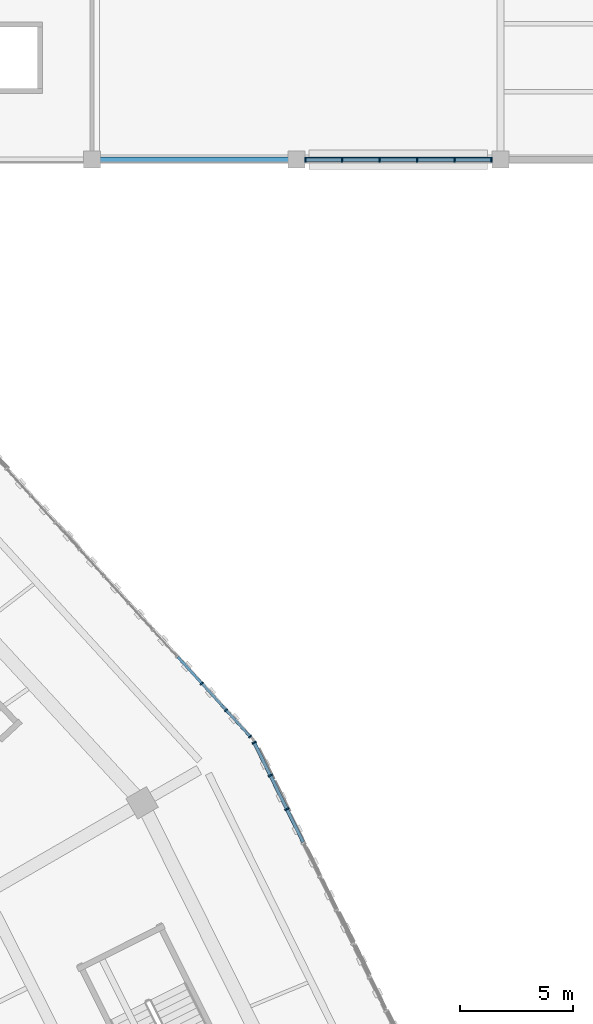
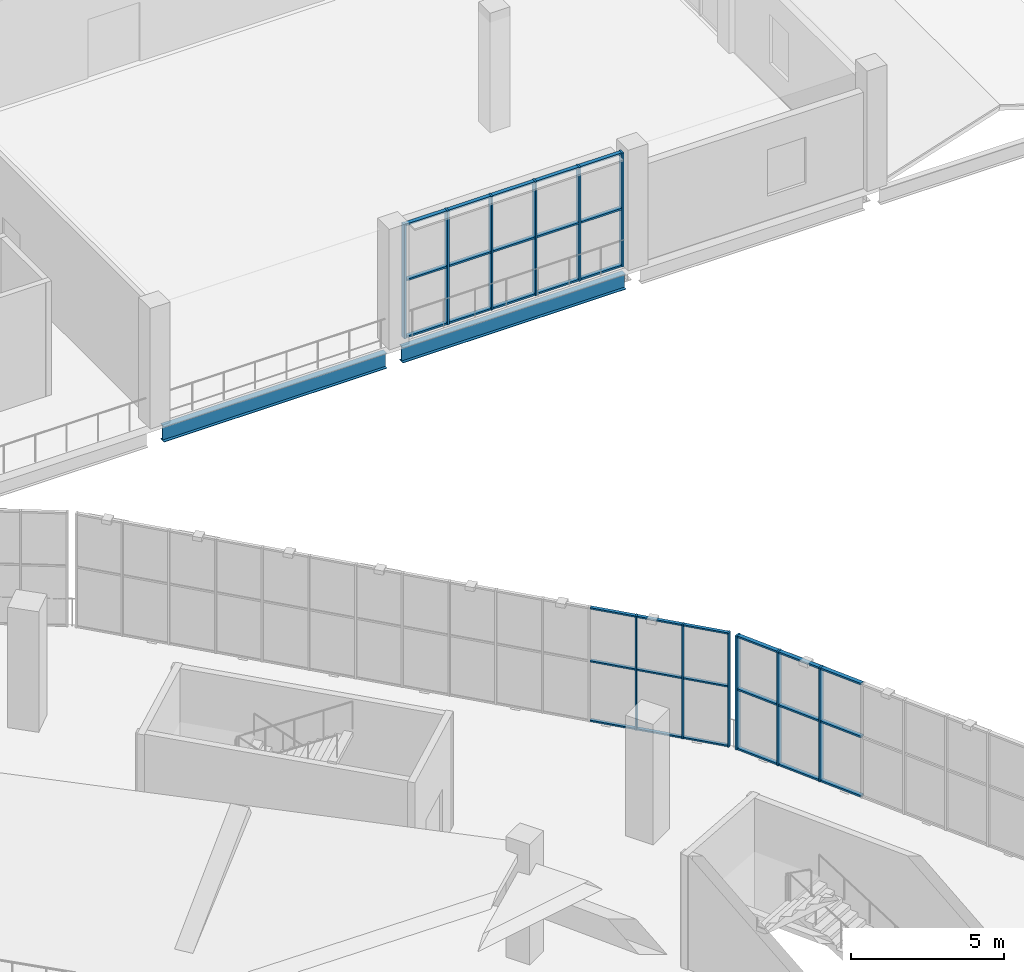
# One storey, part 66 of 152: 45 members, 2 beams, 3 elements without a shape of their own.
"""IFC4 building model written with IfcOpenShell, lengths in metres."""

from ifc_helpers import new_model, si_unit, direction, frame, origin, origin_2d, place, context, subcontext, project, spatial, rectangle, i_section, extrude, material, material_profile, profile_set, type_object, element, aggregate, save


model = new_model("IFC4")

# Units and contexts
model_context = context("Model", 3, precision=1e-05, world=origin(), true_north=direction((0.0, 1.0)))
body_context = subcontext(model_context, "Body", "Model", "MODEL_VIEW")
ifc_project = project(units=[si_unit("LENGTHUNIT", "METRE"), si_unit("AREAUNIT", "SQUARE_METRE"), si_unit("VOLUMEUNIT", "CUBIC_METRE"), si_unit("PLANEANGLEUNIT", "RADIAN"), si_unit("MASSUNIT", "GRAM", prefix="KILO")], contexts=[model_context])

# Site, building, storey
site_placement = place(None, origin())
site = spatial("IfcSite", under=ifc_project, at=site_placement, CompositionType="ELEMENT")
building_placement = place(site_placement, origin())
building = spatial("IfcBuilding", under=site, at=building_placement, Name="Zevraka Park Crest Stadium", CompositionType="ELEMENT")
storey_placement = place(building_placement, frame((0.0, 0.0, 15.0)))
storey = spatial("IfcBuildingStorey", under=building, at=storey_placement, Name="L03", CompositionType="ELEMENT", Elevation=15.0)

# Beams
ifc_material_1 = material(Name="Steel S355", Category="steel")
ifc_material_profile_1 = material_profile(ifc_material_1, i_section(OverallWidth=0.22900390625, OverallDepth=0.612060546875, WebThickness=0.011962890625, FlangeThickness=0.01953125, at=origin_2d()), Name="UKB 610x229x125")
ifc_profile_set_1 = profile_set([ifc_material_profile_1], Name="Steel S355")
beam_type = type_object("IfcBeamType", Name="BG09", PredefinedType="BEAM", material=ifc_profile_set_1)
for number, where, z_axis, x_axis, name in (
    (1, (188.300048828125, 158.0, -0.614013671875), (1.0, 0.0, 0.0), (0.0, 1.0, 0.0), "Wing Girder BG09 L03-2122/T"),
    (2, (197.300048828125, 158.0, -0.614013671875), (1.0, 0.0, 0.0), (0.0, 1.0, 0.0), "Wing Girder BG09 L03-2223/T"),
):
    element("IfcBeam", number, at=place(storey_placement, frame(where, z_axis=z_axis, x_axis=x_axis)), inside=storey, type_object=beam_type, Name=name, PredefinedType="BEAM", context=body_context, shape_type="SweptSolid", body=[
        extrude(i_section(OverallWidth=0.22900390625, OverallDepth=0.612060546875, WebThickness=0.011962890625, FlangeThickness=0.01953125, at=origin_2d()), origin(), (0.0, 0.0, 1.0), 8.39990234375),
    ])

# Curtain wall, members
ifc_material_2 = material(Name="Anodised architectural aluminium and laminated safety glass", Category="aluminium")
curtain_wall_type_1 = type_object("IfcCurtainWallType", Name="CW13", PredefinedType="NOTDEFINED", material=ifc_material_2)
curtain_wall_1_placement = place(storey_placement, origin())
curtain_wall_1 = element("IfcCurtainWall", 3, at=curtain_wall_1_placement, inside=storey, type_object=curtain_wall_type_1, Name="Unitised Ring Curtain Wall CW13 L03-02", PredefinedType="NOTDEFINED")
ifc_material_3 = material(Name="Anodised architectural aluminium", Category="aluminium")
ifc_material_profile_2 = material_profile(ifc_material_3, rectangle(XDim=0.159912109375, YDim=0.06005859375, at=origin_2d()), Name="ALU MULLION 160x60")
ifc_profile_set_2 = profile_set([ifc_material_profile_2], Name="Anodised architectural aluminium")
member_type_1 = type_object("IfcMemberType", Name="CM01", PredefinedType="MULLION", material=ifc_profile_set_2)
member_1_placement = place(storey_placement, frame((194.96484375, 132.572265625, 0.0), z_axis=(0.0, 0.0, 1.0), x_axis=(-0.739822878481, -0.672801685845, 0.0)))
member_1 = element("IfcMember", 4, at=member_1_placement, type_object=member_type_1, Name="CW13 mullion 1", PredefinedType="MULLION", context=body_context, shape_type="SweptSolid", body=[
    extrude(rectangle(XDim=0.159912109375, YDim=0.06005859375, at=origin_2d()), origin(), (0.0, 0.0, 1.0), 4.5400390625),
])
member_2_placement = place(storey_placement, frame((193.90869140625, 133.7333984375, 0.0), z_axis=(0.0, 0.0, 1.0), x_axis=(-0.739822878481, -0.672801685845, 0.0)))
member_2 = element("IfcMember", 5, at=member_2_placement, type_object=member_type_1, Name="CW13 mullion 2", PredefinedType="MULLION", context=body_context, shape_type="SweptSolid", body=[
    extrude(rectangle(XDim=0.159912109375, YDim=0.06005859375, at=origin_2d()), origin(), (0.0, 0.0, 1.0), 4.5400390625),
])
member_3_placement = place(storey_placement, frame((192.83251953125, 134.9169921875, 0.0), z_axis=(0.0, 0.0, 1.0), x_axis=(-0.739822878481, -0.672801685845, 0.0)))
member_3 = element("IfcMember", 6, at=member_3_placement, type_object=member_type_1, Name="CW13 mullion 3", PredefinedType="MULLION", context=body_context, shape_type="SweptSolid", body=[
    extrude(rectangle(XDim=0.159912109375, YDim=0.06005859375, at=origin_2d()), origin(), (0.0, 0.0, 1.0), 4.5400390625),
])

ifc_material_4 = material(Name="Anodised architectural aluminium and laminated safety glass", Category="aluminium")
curtain_wall_type_2 = type_object("IfcCurtainWallType", Name="CW12", PredefinedType="NOTDEFINED", material=ifc_material_4)
curtain_wall_2_placement = place(storey_placement, origin())
curtain_wall_2 = element("IfcCurtainWall", 7, at=curtain_wall_2_placement, inside=storey, type_object=curtain_wall_type_2, Name="Unitised Ring Curtain Wall CW12 L03-01", PredefinedType="NOTDEFINED")
ifc_material_5 = material(Name="Anodised architectural aluminium", Category="aluminium")
ifc_material_profile_3 = material_profile(ifc_material_5, rectangle(XDim=0.199951171875, YDim=0.070068359375, at=origin_2d()), Name="ALU MULLION 200x70")
ifc_profile_set_3 = profile_set([ifc_material_profile_3], Name="Anodised architectural aluminium")
member_type_2 = type_object("IfcMemberType", Name="CM03", PredefinedType="MULLION", material=ifc_profile_set_3)
member_4_placement = place(storey_placement, frame((196.58447265625, 129.3720703125, 0.0), z_axis=(0.0, 0.0, 1.0), x_axis=(-0.897670958396, -0.440666370912, 0.0)))
member_4 = element("IfcMember", 8, at=member_4_placement, type_object=member_type_2, Name="CW12 mullion 12", PredefinedType="MULLION", context=body_context, shape_type="SweptSolid", body=[
    extrude(rectangle(XDim=0.199951171875, YDim=0.070068359375, at=origin_2d()), origin(), (0.0, 0.0, 1.0), 4.5400390625),
])
member_5_placement = place(storey_placement, frame((195.856201171875, 130.85546875, 0.0), z_axis=(0.0, 0.0, 1.0), x_axis=(-0.897670958396, -0.440666370912, 0.0)))
member_5 = element("IfcMember", 9, at=member_5_placement, type_object=member_type_2, Name="CW12 mullion 13", PredefinedType="MULLION", context=body_context, shape_type="SweptSolid", body=[
    extrude(rectangle(XDim=0.199951171875, YDim=0.070068359375, at=origin_2d()), origin(), (0.0, 0.0, 1.0), 4.5400390625),
])
member_6_placement = place(storey_placement, frame((195.143310546875, 132.3076171875, 0.0), z_axis=(0.0, 0.0, 1.0), x_axis=(-0.897670958396, -0.440666370912, 0.0)))
member_6 = element("IfcMember", 10, at=member_6_placement, type_object=member_type_2, Name="CW12 mullion 14", PredefinedType="MULLION", context=body_context, shape_type="SweptSolid", body=[
    extrude(rectangle(XDim=0.199951171875, YDim=0.070068359375, at=origin_2d()), origin(), (0.0, 0.0, 1.0), 4.5400390625),
])

ifc_material_6 = material(Name="Anodised architectural aluminium and laminated safety glass", Category="aluminium")
curtain_wall_type_3 = type_object("IfcCurtainWallType", Name="CW30", PredefinedType="NOTDEFINED", material=ifc_material_6)
curtain_wall_3_placement = place(storey_placement, origin())
curtain_wall_3 = element("IfcCurtainWall", 11, at=curtain_wall_3_placement, inside=storey, type_object=curtain_wall_type_3, Name="Wing Curtain Wall CW30 L03-NGATE-S3-2", PredefinedType="NOTDEFINED")
member_7_placement = place(storey_placement, frame((205.60009765625, 158.0, 0.0), z_axis=(0.0, 0.0, 1.0), x_axis=(0.0, -1.0, 0.0)))
member_7 = element("IfcMember", 12, at=member_7_placement, type_object=member_type_2, Name="CW30 mullion 1", PredefinedType="MULLION", context=body_context, shape_type="SweptSolid", body=[
    extrude(rectangle(XDim=0.199951171875, YDim=0.070068359375, at=origin_2d()), origin(), (0.0, 0.0, 1.0), 4.5400390625),
])
member_8_placement = place(storey_placement, frame((203.98095703125, 158.0, 0.0), z_axis=(0.0, 0.0, 1.0), x_axis=(0.0, -1.0, 0.0)))
member_8 = element("IfcMember", 13, at=member_8_placement, type_object=member_type_2, Name="CW30 mullion 2", PredefinedType="MULLION", context=body_context, shape_type="SweptSolid", body=[
    extrude(rectangle(XDim=0.199951171875, YDim=0.070068359375, at=origin_2d()), origin(), (0.0, 0.0, 1.0), 4.5400390625),
])
member_9_placement = place(storey_placement, frame((202.326904296875, 158.0, 0.0), z_axis=(0.0, 0.0, 1.0), x_axis=(0.0, -1.0, 0.0)))
member_9 = element("IfcMember", 14, at=member_9_placement, type_object=member_type_2, Name="CW30 mullion 3", PredefinedType="MULLION", context=body_context, shape_type="SweptSolid", body=[
    extrude(rectangle(XDim=0.199951171875, YDim=0.070068359375, at=origin_2d()), origin(), (0.0, 0.0, 1.0), 4.5400390625),
])
member_10_placement = place(storey_placement, frame((200.673095703125, 158.0, 0.0), z_axis=(0.0, 0.0, 1.0), x_axis=(0.0, -1.0, 0.0)))
member_10 = element("IfcMember", 15, at=member_10_placement, type_object=member_type_2, Name="CW30 mullion 4", PredefinedType="MULLION", context=body_context, shape_type="SweptSolid", body=[
    extrude(rectangle(XDim=0.199951171875, YDim=0.070068359375, at=origin_2d()), origin(), (0.0, 0.0, 1.0), 4.5400390625),
])
member_11_placement = place(storey_placement, frame((199.01904296875, 158.0, 0.0), z_axis=(0.0, 0.0, 1.0), x_axis=(0.0, -1.0, 0.0)))
member_11 = element("IfcMember", 16, at=member_11_placement, type_object=member_type_2, Name="CW30 mullion 5", PredefinedType="MULLION", context=body_context, shape_type="SweptSolid", body=[
    extrude(rectangle(XDim=0.199951171875, YDim=0.070068359375, at=origin_2d()), origin(), (0.0, 0.0, 1.0), 4.5400390625),
])
member_12_placement = place(storey_placement, frame((197.39990234375, 158.0, 0.0), z_axis=(0.0, 0.0, 1.0), x_axis=(0.0, -1.0, 0.0)))
member_12 = element("IfcMember", 17, at=member_12_placement, type_object=member_type_2, Name="CW30 mullion 6", PredefinedType="MULLION", context=body_context, shape_type="SweptSolid", body=[
    extrude(rectangle(XDim=0.199951171875, YDim=0.070068359375, at=origin_2d()), origin(), (0.0, 0.0, 1.0), 4.5400390625),
])

# Member
ifc_material_7 = material(Name="Anodised architectural aluminium", Category="aluminium")
ifc_material_profile_4 = material_profile(ifc_material_7, rectangle(XDim=0.1201171875, YDim=0.06005859375, at=origin_2d()), Name="ALU TRANSOM 120x60")
ifc_profile_set_4 = profile_set([ifc_material_profile_4], Name="Anodised architectural aluminium")
member_type_3 = type_object("IfcMemberType", Name="CT01", PredefinedType="USERDEFINED", material=ifc_profile_set_4)
member_13_placement = place(storey_placement, frame((194.944580078125, 132.594482421875, 0.030029296875), z_axis=(-0.672753283904, 0.739866892756, 0.0), x_axis=(-0.739866892756, -0.672753283904, 0.0)))
member_13 = element("IfcMember", 18, at=member_13_placement, type_object=member_type_3, Name="CW13 transom 1.1", ObjectType="TRANSOM", PredefinedType="USERDEFINED", context=body_context, shape_type="SweptSolid", body=[
    extrude(rectangle(XDim=0.1201171875, YDim=0.06005859375, at=origin_2d()), origin(), (0.0, 0.0, 1.0), 1.509765625),
])

member_14_placement = place(storey_placement, frame((194.944580078125, 132.594482421875, 2.39990234375), z_axis=(-0.672753283904, 0.739866892756, 0.0), x_axis=(-0.739866892756, -0.672753283904, 0.0)))
member_14 = element("IfcMember", 19, at=member_14_placement, type_object=member_type_3, Name="CW13 transom 1.2", ObjectType="TRANSOM", PredefinedType="USERDEFINED", context=body_context, shape_type="SweptSolid", body=[
    extrude(rectangle(XDim=0.1201171875, YDim=0.06005859375, at=origin_2d()), origin(), (0.0, 0.0, 1.0), 1.509765625),
])

member_15_placement = place(storey_placement, frame((194.944580078125, 132.594482421875, 4.510009765625), z_axis=(-0.672753283904, 0.739866892756, 0.0), x_axis=(-0.739866892756, -0.672753283904, 0.0)))
member_15 = element("IfcMember", 20, at=member_15_placement, type_object=member_type_3, Name="CW13 transom 1.3", ObjectType="TRANSOM", PredefinedType="USERDEFINED", context=body_context, shape_type="SweptSolid", body=[
    extrude(rectangle(XDim=0.1201171875, YDim=0.06005859375, at=origin_2d()), origin(), (0.0, 0.0, 1.0), 1.509765625),
])

member_16_placement = place(storey_placement, frame((193.888427734375, 133.755615234375, 0.030029296875), z_axis=(-0.672775385986, 0.739846794959, 0.0), x_axis=(-0.739846794959, -0.672775385986, 0.0)))
member_16 = element("IfcMember", 21, at=member_16_placement, type_object=member_type_3, Name="CW13 transom 2.1", ObjectType="TRANSOM", PredefinedType="USERDEFINED", context=body_context, shape_type="SweptSolid", body=[
    extrude(rectangle(XDim=0.1201171875, YDim=0.06005859375, at=origin_2d()), origin(), (0.0, 0.0, 1.0), 1.539794921875),
])

member_17_placement = place(storey_placement, frame((193.888427734375, 133.755615234375, 2.39990234375), z_axis=(-0.672775385986, 0.739846794959, 0.0), x_axis=(-0.739846794959, -0.672775385986, 0.0)))
member_17 = element("IfcMember", 22, at=member_17_placement, type_object=member_type_3, Name="CW13 transom 2.2", ObjectType="TRANSOM", PredefinedType="USERDEFINED", context=body_context, shape_type="SweptSolid", body=[
    extrude(rectangle(XDim=0.1201171875, YDim=0.06005859375, at=origin_2d()), origin(), (0.0, 0.0, 1.0), 1.539794921875),
])

member_18_placement = place(storey_placement, frame((193.888427734375, 133.755615234375, 4.510009765625), z_axis=(-0.672775385986, 0.739846794959, 0.0), x_axis=(-0.739846794959, -0.672775385986, 0.0)))
member_18 = element("IfcMember", 23, at=member_18_placement, type_object=member_type_3, Name="CW13 transom 2.3", ObjectType="TRANSOM", PredefinedType="USERDEFINED", context=body_context, shape_type="SweptSolid", body=[
    extrude(rectangle(XDim=0.1201171875, YDim=0.06005859375, at=origin_2d()), origin(), (0.0, 0.0, 1.0), 1.539794921875),
])

member_19_placement = place(storey_placement, frame((192.812255859375, 134.939208984375, 0.030029296875), z_axis=(-0.672775385986, 0.739846794959, 0.0), x_axis=(-0.739846794959, -0.672775385986, 0.0)))
member_19 = element("IfcMember", 24, at=member_19_placement, type_object=member_type_3, Name="CW13 transom 3.1", ObjectType="TRANSOM", PredefinedType="USERDEFINED", context=body_context, shape_type="SweptSolid", body=[
    extrude(rectangle(XDim=0.1201171875, YDim=0.06005859375, at=origin_2d()), origin(), (0.0, 0.0, 1.0), 1.539794921875),
])

member_20_placement = place(storey_placement, frame((192.812255859375, 134.939208984375, 2.39990234375), z_axis=(-0.672775385986, 0.739846794959, 0.0), x_axis=(-0.739846794959, -0.672775385986, 0.0)))
member_20 = element("IfcMember", 25, at=member_20_placement, type_object=member_type_3, Name="CW13 transom 3.2", ObjectType="TRANSOM", PredefinedType="USERDEFINED", context=body_context, shape_type="SweptSolid", body=[
    extrude(rectangle(XDim=0.1201171875, YDim=0.06005859375, at=origin_2d()), origin(), (0.0, 0.0, 1.0), 1.539794921875),
])

member_21_placement = place(storey_placement, frame((192.812255859375, 134.939208984375, 4.510009765625), z_axis=(-0.672775385986, 0.739846794959, 0.0), x_axis=(-0.739846794959, -0.672775385986, 0.0)))
member_21 = element("IfcMember", 26, at=member_21_placement, type_object=member_type_3, Name="CW13 transom 3.3", ObjectType="TRANSOM", PredefinedType="USERDEFINED", context=body_context, shape_type="SweptSolid", body=[
    extrude(rectangle(XDim=0.1201171875, YDim=0.06005859375, at=origin_2d()), origin(), (0.0, 0.0, 1.0), 1.539794921875),
])

aggregate(curtain_wall_1, [member_1, member_2, member_3, member_13, member_14, member_15, member_16, member_17, member_18, member_19, member_20, member_21])

ifc_material_8 = material(Name="Anodised architectural aluminium", Category="aluminium")
ifc_material_profile_5 = material_profile(ifc_material_8, rectangle(XDim=0.14990234375, YDim=0.070068359375, at=origin_2d()), Name="ALU TRANSOM 150x70")
ifc_profile_set_5 = profile_set([ifc_material_profile_5], Name="Anodised architectural aluminium")
member_type_4 = type_object("IfcMemberType", Name="CT03", PredefinedType="USERDEFINED", material=ifc_profile_set_5)
member_22_placement = place(storey_placement, frame((197.29736328125, 127.919921875, 0.034912109375), z_axis=(-0.440722911723, 0.897643200321, 0.0), x_axis=(-0.897643200321, -0.440722911723, 0.0)))
member_22 = element("IfcMember", 27, at=member_22_placement, type_object=member_type_4, Name="CW12 transom 11.1", ObjectType="TRANSOM", PredefinedType="USERDEFINED", context=body_context, shape_type="SweptSolid", body=[
    extrude(rectangle(XDim=0.14990234375, YDim=0.070068359375, at=origin_2d()), origin(), (0.0, 0.0, 1.0), 1.582763671875),
])

member_23_placement = place(storey_placement, frame((197.29736328125, 127.919921875, 2.39990234375), z_axis=(-0.440722911723, 0.897643200321, 0.0), x_axis=(-0.897643200321, -0.440722911723, 0.0)))
member_23 = element("IfcMember", 28, at=member_23_placement, type_object=member_type_4, Name="CW12 transom 11.2", ObjectType="TRANSOM", PredefinedType="USERDEFINED", context=body_context, shape_type="SweptSolid", body=[
    extrude(rectangle(XDim=0.14990234375, YDim=0.070068359375, at=origin_2d()), origin(), (0.0, 0.0, 1.0), 1.582763671875),
])

member_24_placement = place(storey_placement, frame((197.29736328125, 127.919921875, 4.5048828125), z_axis=(-0.440722911723, 0.897643200321, 0.0), x_axis=(-0.897643200321, -0.440722911723, 0.0)))
member_24 = element("IfcMember", 29, at=member_24_placement, type_object=member_type_4, Name="CW12 transom 11.3", ObjectType="TRANSOM", PredefinedType="USERDEFINED", context=body_context, shape_type="SweptSolid", body=[
    extrude(rectangle(XDim=0.14990234375, YDim=0.070068359375, at=origin_2d()), origin(), (0.0, 0.0, 1.0), 1.582763671875),
])

member_25_placement = place(storey_placement, frame((196.569091796875, 129.403564453125, 0.034912109375), z_axis=(-0.440722911723, 0.897643200321, 0.0), x_axis=(-0.897643200321, -0.440722911723, 0.0)))
member_25 = element("IfcMember", 30, at=member_25_placement, type_object=member_type_4, Name="CW12 transom 12.1", ObjectType="TRANSOM", PredefinedType="USERDEFINED", context=body_context, shape_type="SweptSolid", body=[
    extrude(rectangle(XDim=0.14990234375, YDim=0.070068359375, at=origin_2d()), origin(), (0.0, 0.0, 1.0), 1.582763671875),
])

member_26_placement = place(storey_placement, frame((196.569091796875, 129.403564453125, 2.39990234375), z_axis=(-0.440722911723, 0.897643200321, 0.0), x_axis=(-0.897643200321, -0.440722911723, 0.0)))
member_26 = element("IfcMember", 31, at=member_26_placement, type_object=member_type_4, Name="CW12 transom 12.2", ObjectType="TRANSOM", PredefinedType="USERDEFINED", context=body_context, shape_type="SweptSolid", body=[
    extrude(rectangle(XDim=0.14990234375, YDim=0.070068359375, at=origin_2d()), origin(), (0.0, 0.0, 1.0), 1.582763671875),
])

member_27_placement = place(storey_placement, frame((196.569091796875, 129.403564453125, 4.5048828125), z_axis=(-0.440722911723, 0.897643200321, 0.0), x_axis=(-0.897643200321, -0.440722911723, 0.0)))
member_27 = element("IfcMember", 32, at=member_27_placement, type_object=member_type_4, Name="CW12 transom 12.3", ObjectType="TRANSOM", PredefinedType="USERDEFINED", context=body_context, shape_type="SweptSolid", body=[
    extrude(rectangle(XDim=0.14990234375, YDim=0.070068359375, at=origin_2d()), origin(), (0.0, 0.0, 1.0), 1.582763671875),
])

member_28_placement = place(storey_placement, frame((195.8408203125, 130.886962890625, 0.034912109375), z_axis=(-0.440638518925, 0.897684630391, 0.0), x_axis=(-0.897684630391, -0.440638518925, 0.0)))
member_28 = element("IfcMember", 33, at=member_28_placement, type_object=member_type_4, Name="CW12 transom 13.1", ObjectType="TRANSOM", PredefinedType="USERDEFINED", context=body_context, shape_type="SweptSolid", body=[
    extrude(rectangle(XDim=0.14990234375, YDim=0.070068359375, at=origin_2d()), origin(), (0.0, 0.0, 1.0), 1.547607421875),
])

member_29_placement = place(storey_placement, frame((195.8408203125, 130.886962890625, 2.39990234375), z_axis=(-0.440638518925, 0.897684630391, 0.0), x_axis=(-0.897684630391, -0.440638518925, 0.0)))
member_29 = element("IfcMember", 34, at=member_29_placement, type_object=member_type_4, Name="CW12 transom 13.2", ObjectType="TRANSOM", PredefinedType="USERDEFINED", context=body_context, shape_type="SweptSolid", body=[
    extrude(rectangle(XDim=0.14990234375, YDim=0.070068359375, at=origin_2d()), origin(), (0.0, 0.0, 1.0), 1.547607421875),
])

member_30_placement = place(storey_placement, frame((195.8408203125, 130.886962890625, 4.5048828125), z_axis=(-0.440638518925, 0.897684630391, 0.0), x_axis=(-0.897684630391, -0.440638518925, 0.0)))
member_30 = element("IfcMember", 35, at=member_30_placement, type_object=member_type_4, Name="CW12 transom 13.3", ObjectType="TRANSOM", PredefinedType="USERDEFINED", context=body_context, shape_type="SweptSolid", body=[
    extrude(rectangle(XDim=0.14990234375, YDim=0.070068359375, at=origin_2d()), origin(), (0.0, 0.0, 1.0), 1.547607421875),
])

aggregate(curtain_wall_2, [member_4, member_5, member_6, member_22, member_23, member_24, member_25, member_26, member_27, member_28, member_29, member_30])

member_31_placement = place(storey_placement, frame((205.56494140625, 158.0, 0.034912109375), z_axis=(-1.0, 0.0, 0.0), x_axis=(0.0, -1.0, 0.0)))
member_31 = element("IfcMember", 36, at=member_31_placement, type_object=member_type_4, Name="CW30 transom 1.1", ObjectType="TRANSOM", PredefinedType="USERDEFINED", context=body_context, shape_type="SweptSolid", body=[
    extrude(rectangle(XDim=0.14990234375, YDim=0.070068359375, at=origin_2d()), origin(), (0.0, 0.0, 1.0), 1.548828125),
])

member_32_placement = place(storey_placement, frame((205.56494140625, 158.0, 2.300048828125), z_axis=(-1.0, 0.0, 0.0), x_axis=(0.0, -1.0, 0.0)))
member_32 = element("IfcMember", 37, at=member_32_placement, type_object=member_type_4, Name="CW30 transom 1.2", ObjectType="TRANSOM", PredefinedType="USERDEFINED", context=body_context, shape_type="SweptSolid", body=[
    extrude(rectangle(XDim=0.14990234375, YDim=0.070068359375, at=origin_2d()), origin(), (0.0, 0.0, 1.0), 1.548828125),
])

member_33_placement = place(storey_placement, frame((205.56494140625, 158.0, 4.5048828125), z_axis=(-1.0, 0.0, 0.0), x_axis=(0.0, -1.0, 0.0)))
member_33 = element("IfcMember", 38, at=member_33_placement, type_object=member_type_4, Name="CW30 transom 1.3", ObjectType="TRANSOM", PredefinedType="USERDEFINED", context=body_context, shape_type="SweptSolid", body=[
    extrude(rectangle(XDim=0.14990234375, YDim=0.070068359375, at=origin_2d()), origin(), (0.0, 0.0, 1.0), 1.548828125),
])

member_34_placement = place(storey_placement, frame((203.946044921875, 158.0, 0.034912109375), z_axis=(-1.0, 0.0, 0.0), x_axis=(0.0, -1.0, 0.0)))
member_34 = element("IfcMember", 39, at=member_34_placement, type_object=member_type_4, Name="CW30 transom 2.1", ObjectType="TRANSOM", PredefinedType="USERDEFINED", context=body_context, shape_type="SweptSolid", body=[
    extrude(rectangle(XDim=0.14990234375, YDim=0.070068359375, at=origin_2d()), origin(), (0.0, 0.0, 1.0), 1.583984375),
])

member_35_placement = place(storey_placement, frame((203.946044921875, 158.0, 2.300048828125), z_axis=(-1.0, 0.0, 0.0), x_axis=(0.0, -1.0, 0.0)))
member_35 = element("IfcMember", 40, at=member_35_placement, type_object=member_type_4, Name="CW30 transom 2.2", ObjectType="TRANSOM", PredefinedType="USERDEFINED", context=body_context, shape_type="SweptSolid", body=[
    extrude(rectangle(XDim=0.14990234375, YDim=0.070068359375, at=origin_2d()), origin(), (0.0, 0.0, 1.0), 1.583984375),
])

member_36_placement = place(storey_placement, frame((203.946044921875, 158.0, 4.5048828125), z_axis=(-1.0, 0.0, 0.0), x_axis=(0.0, -1.0, 0.0)))
member_36 = element("IfcMember", 41, at=member_36_placement, type_object=member_type_4, Name="CW30 transom 2.3", ObjectType="TRANSOM", PredefinedType="USERDEFINED", context=body_context, shape_type="SweptSolid", body=[
    extrude(rectangle(XDim=0.14990234375, YDim=0.070068359375, at=origin_2d()), origin(), (0.0, 0.0, 1.0), 1.583984375),
])

member_37_placement = place(storey_placement, frame((202.2919921875, 158.0, 0.034912109375), z_axis=(-1.0, 0.0, 0.0), x_axis=(0.0, -1.0, 0.0)))
member_37 = element("IfcMember", 42, at=member_37_placement, type_object=member_type_4, Name="CW30 transom 3.1", ObjectType="TRANSOM", PredefinedType="USERDEFINED", context=body_context, shape_type="SweptSolid", body=[
    extrude(rectangle(XDim=0.14990234375, YDim=0.070068359375, at=origin_2d()), origin(), (0.0, 0.0, 1.0), 1.583984375),
])

member_38_placement = place(storey_placement, frame((202.2919921875, 158.0, 2.300048828125), z_axis=(-1.0, 0.0, 0.0), x_axis=(0.0, -1.0, 0.0)))
member_38 = element("IfcMember", 43, at=member_38_placement, type_object=member_type_4, Name="CW30 transom 3.2", ObjectType="TRANSOM", PredefinedType="USERDEFINED", context=body_context, shape_type="SweptSolid", body=[
    extrude(rectangle(XDim=0.14990234375, YDim=0.070068359375, at=origin_2d()), origin(), (0.0, 0.0, 1.0), 1.583984375),
])

member_39_placement = place(storey_placement, frame((202.2919921875, 158.0, 4.5048828125), z_axis=(-1.0, 0.0, 0.0), x_axis=(0.0, -1.0, 0.0)))
member_39 = element("IfcMember", 44, at=member_39_placement, type_object=member_type_4, Name="CW30 transom 3.3", ObjectType="TRANSOM", PredefinedType="USERDEFINED", context=body_context, shape_type="SweptSolid", body=[
    extrude(rectangle(XDim=0.14990234375, YDim=0.070068359375, at=origin_2d()), origin(), (0.0, 0.0, 1.0), 1.583984375),
])

member_40_placement = place(storey_placement, frame((200.637939453125, 158.0, 0.034912109375), z_axis=(-1.0, 0.0, 0.0), x_axis=(0.0, -1.0, 0.0)))
member_40 = element("IfcMember", 45, at=member_40_placement, type_object=member_type_4, Name="CW30 transom 4.1", ObjectType="TRANSOM", PredefinedType="USERDEFINED", context=body_context, shape_type="SweptSolid", body=[
    extrude(rectangle(XDim=0.14990234375, YDim=0.070068359375, at=origin_2d()), origin(), (0.0, 0.0, 1.0), 1.583984375),
])

member_41_placement = place(storey_placement, frame((200.637939453125, 158.0, 2.300048828125), z_axis=(-1.0, 0.0, 0.0), x_axis=(0.0, -1.0, 0.0)))
member_41 = element("IfcMember", 46, at=member_41_placement, type_object=member_type_4, Name="CW30 transom 4.2", ObjectType="TRANSOM", PredefinedType="USERDEFINED", context=body_context, shape_type="SweptSolid", body=[
    extrude(rectangle(XDim=0.14990234375, YDim=0.070068359375, at=origin_2d()), origin(), (0.0, 0.0, 1.0), 1.583984375),
])

member_42_placement = place(storey_placement, frame((200.637939453125, 158.0, 4.5048828125), z_axis=(-1.0, 0.0, 0.0), x_axis=(0.0, -1.0, 0.0)))
member_42 = element("IfcMember", 47, at=member_42_placement, type_object=member_type_4, Name="CW30 transom 4.3", ObjectType="TRANSOM", PredefinedType="USERDEFINED", context=body_context, shape_type="SweptSolid", body=[
    extrude(rectangle(XDim=0.14990234375, YDim=0.070068359375, at=origin_2d()), origin(), (0.0, 0.0, 1.0), 1.583984375),
])

member_43_placement = place(storey_placement, frame((198.98388671875, 158.0, 0.034912109375), z_axis=(-1.0, 0.0, 0.0), x_axis=(0.0, -1.0, 0.0)))
member_43 = element("IfcMember", 48, at=member_43_placement, type_object=member_type_4, Name="CW30 transom 5.1", ObjectType="TRANSOM", PredefinedType="USERDEFINED", context=body_context, shape_type="SweptSolid", body=[
    extrude(rectangle(XDim=0.14990234375, YDim=0.070068359375, at=origin_2d()), origin(), (0.0, 0.0, 1.0), 1.548828125),
])

member_44_placement = place(storey_placement, frame((198.98388671875, 158.0, 2.300048828125), z_axis=(-1.0, 0.0, 0.0), x_axis=(0.0, -1.0, 0.0)))
member_44 = element("IfcMember", 49, at=member_44_placement, type_object=member_type_4, Name="CW30 transom 5.2", ObjectType="TRANSOM", PredefinedType="USERDEFINED", context=body_context, shape_type="SweptSolid", body=[
    extrude(rectangle(XDim=0.14990234375, YDim=0.070068359375, at=origin_2d()), origin(), (0.0, 0.0, 1.0), 1.548828125),
])

member_45_placement = place(storey_placement, frame((198.98388671875, 158.0, 4.5048828125), z_axis=(-1.0, 0.0, 0.0), x_axis=(0.0, -1.0, 0.0)))
member_45 = element("IfcMember", 50, at=member_45_placement, type_object=member_type_4, Name="CW30 transom 5.3", ObjectType="TRANSOM", PredefinedType="USERDEFINED", context=body_context, shape_type="SweptSolid", body=[
    extrude(rectangle(XDim=0.14990234375, YDim=0.070068359375, at=origin_2d()), origin(), (0.0, 0.0, 1.0), 1.548828125),
])

aggregate(curtain_wall_3, [member_7, member_8, member_9, member_10, member_11, member_12, member_31, member_32, member_33, member_34, member_35, member_36, member_37, member_38, member_39, member_40, member_41, member_42, member_43, member_44, member_45])

save(model, "model.ifc")
